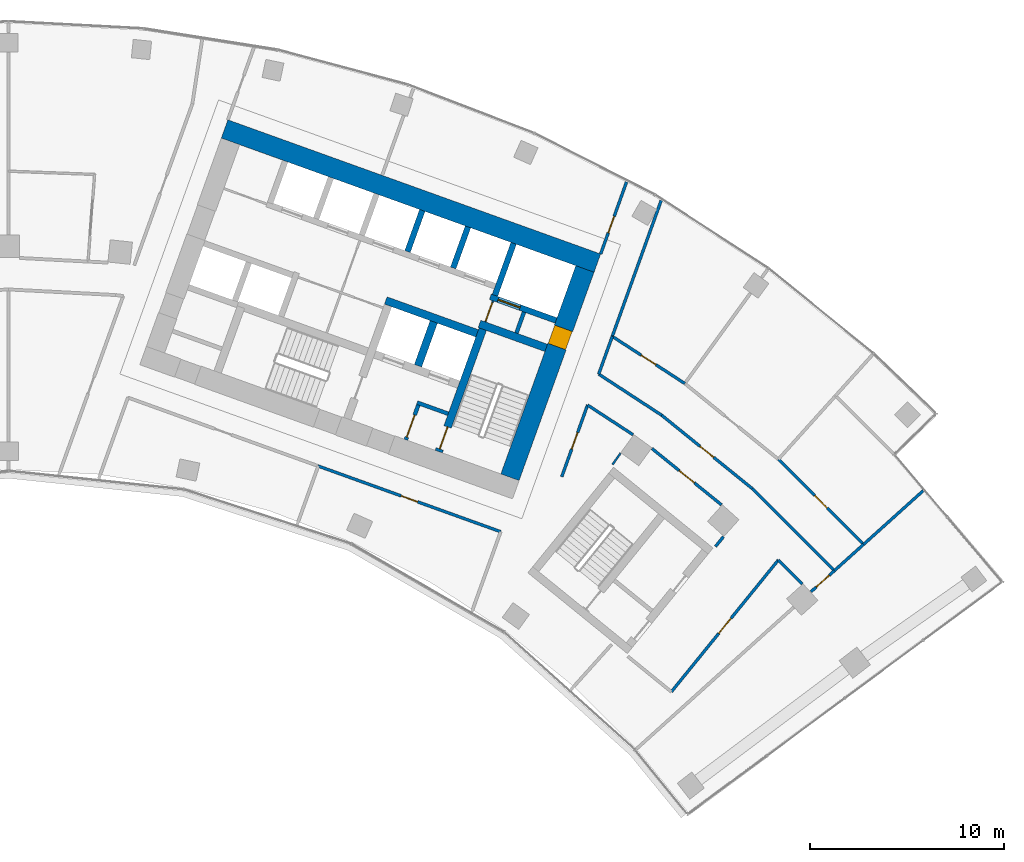
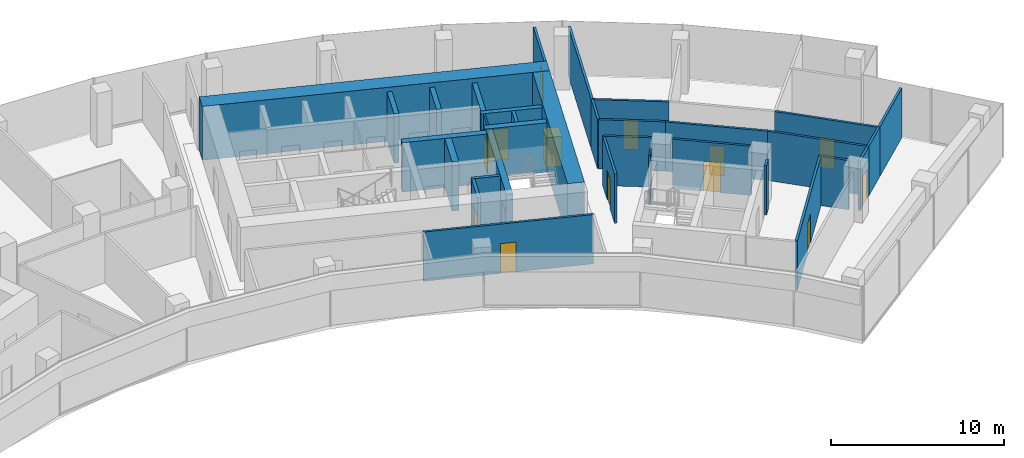
# One storey, part 16 of 20: 33 walls, 14 doors, 14 openings.
"""IFC4 building model written with IfcOpenShell, lengths in metres."""

from ifc_helpers import new_model, si_unit, direction, frame, frame_2d, origin, place, context, subcontext, project, spatial, rectangle, extrude, material, layer, layer_set, type_object, element, fill, save


model = new_model("IFC4")

# Units and contexts
model_context = context("Model", 3, precision=1e-05, world=origin(), true_north=direction((0.0, 1.0)))
body_context = subcontext(model_context, "Body", "Model", "MODEL_VIEW")
ifc_project = project(units=[si_unit("LENGTHUNIT", "METRE"), si_unit("AREAUNIT", "SQUARE_METRE"), si_unit("VOLUMEUNIT", "CUBIC_METRE"), si_unit("PLANEANGLEUNIT", "RADIAN"), si_unit("MASSUNIT", "GRAM", prefix="KILO")], contexts=[model_context])

# Site, building, storey
site_placement = place(None, origin())
site = spatial("IfcSite", under=ifc_project, at=site_placement, CompositionType="ELEMENT")
building_placement = place(site_placement, origin())
building = spatial("IfcBuilding", under=site, at=building_placement, Name="Stone Belt Terrace Tower", CompositionType="ELEMENT")
storey_placement = place(building_placement, frame((0.0, 0.0, 216.199951171875)))
storey = spatial("IfcBuildingStorey", under=building, at=storey_placement, Name="L52", CompositionType="ELEMENT", Elevation=216.199951171875)

# Wall, opening, door
ifc_material_1 = material(Name="Plasterboard partition")
ifc_layer_1 = layer(ifc_material_1, 0.10009765625)
ifc_layer_set_1 = layer_set([ifc_layer_1], Name="Core partition 100")
wall_type_1 = type_object("IfcWallType", Name="Core partition 100", PredefinedType="PARTITIONING", material=ifc_layer_set_1)
wall_1_placement = place(storey_placement, frame((24.555908203125, 51.10400390625, 0.0), z_axis=(0.0, 0.0, 1.0), x_axis=(0.338621735342, 0.94092258999, 0.0)))
wall_1 = element("IfcWall", 1, at=wall_1_placement, inside=storey, type_object=wall_type_1, Name="Core B wall", PredefinedType="PARTITIONING", context=body_context, shape_type="SweptSolid", body=[
    extrude(rectangle(XDim=1.14990234375, YDim=0.10009765625, at=frame_2d((0.574951171875, 0.0))), origin(), (0.0, 0.0, 1.0), 3.47998046875),
])
opening_1_placement = place(wall_1_placement, frame((0.050048828125, 0.0, 0.0)))
opening_1 = element("IfcOpeningElement", 2, at=opening_1_placement, cuts=wall_1, Name="Opening L52-C19", PredefinedType="OPENING", context=body_context, shape_type="SweptSolid", body=[
    extrude(rectangle(XDim=1.0, YDim=2.10009765625, at=frame_2d((0.5, 1.050048828125))), frame((0.0, 0.06005859375, 0.0), z_axis=(0.0, -1.0, 0.0), x_axis=(1.0, 0.0, 0.0)), (0.0, 0.0, 1.0), 0.1201171875),
])
ifc_material_2 = material(Name="Timber door leaf", Category="wood")
door_type_1 = type_object("IfcDoorType", Name="Core room door 1000", OperationType="SINGLE_SWING_LEFT", PredefinedType="DOOR", material=ifc_material_2)
door_1_placement = place(opening_1_placement, origin())
door_1 = element("IfcDoor", 3, at=door_1_placement, inside=storey, type_object=door_type_1, Name="Service lift lobby door core B", OperationType="SINGLE_SWING_LEFT", OverallHeight=2.10009765625, OverallWidth=1.0, PredefinedType="DOOR", context=body_context, shape_type="SweptSolid", body=[
    extrude(rectangle(XDim=1.0, YDim=2.10009765625, at=frame_2d((0.5, 1.050048828125))), frame((0.0, 0.02490234375, 0.0), z_axis=(0.0, -1.0, 0.0), x_axis=(1.0, 0.0, 0.0)), (0.0, 0.0, 1.0), 0.050048828125),
])
fill(opening_1, door_1)

# Wall
ifc_material_3 = material(Name="Concrete B60", Category="concrete")
ifc_layer_2 = layer(ifc_material_3, 1.0)
ifc_layer_set_2 = layer_set([ifc_layer_2], Name="Core wall 1000 B60")
wall_type_2 = type_object("IfcWallType", Name="Core wall 1000 B60", PredefinedType="SHEAR", material=ifc_layer_set_2)
wall_2_placement = place(storey_placement, frame((11.12646484375, 61.038330078125, 0.0), z_axis=(0.0, 0.0, 1.0), x_axis=(0.940921428504, -0.338624962727, 0.0)))
element("IfcWall", 4, at=wall_2_placement, inside=storey, type_object=wall_type_2, Name="Core B wall convex L52", PredefinedType="SHEAR", context=body_context, shape_type="SweptSolid", body=[
    extrude(rectangle(XDim=20.400146484375, YDim=1.0, at=frame_2d((10.2001953125, 0.0))), origin(), (0.0, 0.0, 1.0), 3.800048828125),
])

# Wall, opening, door
wall_3_placement = place(storey_placement, frame((25.821044921875, 43.102783203125, 0.0), z_axis=(0.0, 0.0, 1.0), x_axis=(0.338625431531, 0.940921259788, 0.0)))
wall_3 = element("IfcWall", 5, at=wall_3_placement, inside=storey, type_object=wall_type_2, Name="Core B wall end_b L52", PredefinedType="SHEAR", context=body_context, shape_type="SweptSolid", body=[
    extrude(rectangle(XDim=11.400146484375, YDim=1.0, at=frame_2d((5.7001953125, 0.0))), origin(), (0.0, 0.0, 1.0), 3.800048828125),
])
opening_2_placement = place(wall_3_placement, frame((7.14990234375, 0.0, 0.0)))
opening_2 = element("IfcOpeningElement", 6, at=opening_2_placement, cuts=wall_3, Name="Opening L52-C18", PredefinedType="OPENING", context=body_context, shape_type="SweptSolid", body=[
    extrude(rectangle(XDim=1.0, YDim=2.10009765625, at=frame_2d((0.5, 1.050048828125))), frame((0.0, 0.510009765625, 0.0), z_axis=(0.0, -1.0, 0.0), x_axis=(1.0, 0.0, 0.0)), (0.0, 0.0, 1.0), 1.02001953125),
])
door_2_placement = place(opening_2_placement, origin())
door_2 = element("IfcDoor", 7, at=door_2_placement, inside=storey, type_object=door_type_1, Name="Door to Telecommunications riser room core B", OperationType="SINGLE_SWING_RIGHT", OverallHeight=2.10009765625, OverallWidth=1.0, PredefinedType="DOOR", context=body_context, shape_type="SweptSolid", body=[
    extrude(rectangle(XDim=1.0, YDim=2.10009765625, at=frame_2d((0.5, 1.050048828125))), frame((0.0, 0.47998046875, 0.0), z_axis=(0.0, -1.0, 0.0), x_axis=(1.0, 0.0, 0.0)), (0.0, 0.0, 1.0), 0.949951171875),
])
fill(opening_2, door_2)

# Walls
ifc_material_4 = material(Name="Concrete B80", Category="concrete")
ifc_layer_3 = layer(ifc_material_4, 0.39990234375)
ifc_layer_set_3 = layer_set([ifc_layer_3], Name="Fire-fighting lift shaft wall 400")
wall_type_3 = type_object("IfcWallType", Name="Fire-fighting lift shaft wall 400", PredefinedType="SHEAR", material=ifc_layer_set_3)
wall_4_placement = place(storey_placement, frame((24.130615234375, 50.512939453125, 0.0), z_axis=(0.0, 0.0, 1.0), x_axis=(-0.94091168377, 0.338652038744, 0.0)))
element("IfcWall", 8, at=wall_4_placement, inside=storey, type_object=wall_type_3, Name="Core B wall", PredefinedType="SHEAR", context=body_context, shape_type="SweptSolid", body=[
    extrude(rectangle(XDim=5.000244140625, YDim=0.39990234375, at=frame_2d((2.5, 0.0))), origin(), (0.0, 0.0, 1.0), 3.47998046875),
])
wall_5_placement = place(storey_placement, frame((21.0859375, 48.845458984375, 0.0), z_axis=(0.0, 0.0, 1.0), x_axis=(0.338629416206, 0.940919825745, 0.0)))
element("IfcWall", 9, at=wall_5_placement, inside=storey, type_object=wall_type_3, Name="Core B wall", PredefinedType="SHEAR", context=body_context, shape_type="SweptSolid", body=[
    extrude(rectangle(XDim=2.400146484375, YDim=0.39990234375, at=frame_2d((1.2001953125, 0.0))), origin(), (0.0, 0.0, 1.0), 3.47998046875),
])

# Wall, opening, door
ifc_layer_4 = layer(ifc_material_4, 0.300048828125)
ifc_layer_set_4 = layer_set([ifc_layer_4], Name="Lift shaft wall 300")
wall_type_4 = type_object("IfcWallType", Name="Lift shaft wall 300", PredefinedType="SHEAR", material=ifc_layer_set_4)
wall_6_placement = place(storey_placement, frame((28.195068359375, 51.17578125, 0.0), z_axis=(0.0, 0.0, 1.0), x_axis=(-0.940901243567, 0.338681044427, 0.0)))
wall_6 = element("IfcWall", 10, at=wall_6_placement, inside=storey, type_object=wall_type_4, Name="Core B wall", PredefinedType="SHEAR", context=body_context, shape_type="SweptSolid", body=[
    extrude(rectangle(XDim=3.599853515625, YDim=0.300048828125, at=frame_2d((1.7998046875, 0.0))), origin(), (0.0, 0.0, 1.0), 3.47998046875),
])
opening_3_placement = place(wall_6_placement, frame((1.969970703125, 0.0, 0.0)))
opening_3 = element("IfcOpeningElement", 11, at=opening_3_placement, cuts=wall_6, Name="Opening L52-LD16", PredefinedType="OPENING", context=body_context, shape_type="SweptSolid", body=[
    extrude(rectangle(XDim=1.199951171875, YDim=2.199951171875, at=frame_2d((0.60009765625, 1.10009765625))), frame((0.0, 0.159912109375, 0.0), z_axis=(0.0, -1.0, 0.0), x_axis=(1.0, 0.0, 0.0)), (0.0, 0.0, 1.0), 0.320068359375),
])
ifc_material_5 = material(Name="Stainless steel door leaf", Category="steel")
door_type_2 = type_object("IfcDoorType", Name="Landing door 1200", OperationType="SLIDING_TO_LEFT", PredefinedType="DOOR", material=ifc_material_5)
door_3_placement = place(opening_3_placement, origin())
door_3 = element("IfcDoor", 12, at=door_3_placement, inside=storey, type_object=door_type_2, Name="Landing door SV1 core B", OperationType="SLIDING_TO_LEFT", OverallHeight=2.199951171875, OverallWidth=1.199951171875, PredefinedType="DOOR", context=body_context, shape_type="SweptSolid", body=[
    extrude(rectangle(XDim=1.199951171875, YDim=2.199951171875, at=frame_2d((0.60009765625, 1.10009765625))), frame((0.0, 0.02490234375, 0.0), z_axis=(0.0, -1.0, 0.0), x_axis=(1.0, 0.0, 0.0)), (0.0, 0.0, 1.0), 0.050048828125),
])
fill(opening_3, door_3)

# Walls
wall_7_placement = place(storey_placement, frame((25.046875, 52.46826171875, 0.0), z_axis=(0.0, 0.0, 1.0), x_axis=(0.338549588058, 0.940948551423, 0.0)))
element("IfcWall", 13, at=wall_7_placement, inside=storey, type_object=wall_type_4, Name="Core B wall", PredefinedType="SHEAR", context=body_context, shape_type="SweptSolid", body=[
    extrude(rectangle(XDim=2.849853515625, YDim=0.300048828125, at=frame_2d((1.4248046875, 0.0))), origin(), (0.0, 0.0, 1.0), 3.47998046875),
])
wall_8_placement = place(storey_placement, frame((22.897705078125, 53.87939453125, 0.0), z_axis=(0.0, 0.0, 1.0), x_axis=(0.338535034312, 0.940953787677, 0.0)))
element("IfcWall", 14, at=wall_8_placement, inside=storey, type_object=wall_type_4, Name="Core B wall", PredefinedType="SHEAR", context=body_context, shape_type="SweptSolid", body=[
    extrude(rectangle(XDim=2.25, YDim=0.300048828125, at=frame_2d((1.125, 0.0))), origin(), (0.0, 0.0, 1.0), 3.47998046875),
])
wall_9_placement = place(storey_placement, frame((20.54541015625, 54.72607421875, 0.0), z_axis=(0.0, 0.0, 1.0), x_axis=(0.338569601369, 0.940941350472, 0.0)))
element("IfcWall", 15, at=wall_9_placement, inside=storey, type_object=wall_type_4, Name="Core B wall", PredefinedType="SHEAR", context=body_context, shape_type="SweptSolid", body=[
    extrude(rectangle(XDim=2.249755859375, YDim=0.300048828125, at=frame_2d((1.125, 0.0))), origin(), (0.0, 0.0, 1.0), 3.47998046875),
])
ifc_material_6 = material(Name="Gypsum board partition")
ifc_layer_5 = layer(ifc_material_6, 0.10009765625)
ifc_layer_set_5 = layer_set([ifc_layer_5], Name="PARTITION 100")
wall_type_5 = type_object("IfcWallType", Name="PARTITION 100", PredefinedType="PARTITIONING", material=ifc_layer_set_5)
wall_10_placement = place(storey_placement, frame((31.10302734375, 43.760009765625, 0.0), z_axis=(0.0, 0.0, 1.0), x_axis=(0.578960753256, 0.815355410965, 0.0)))
element("IfcWall", 16, at=wall_10_placement, inside=storey, type_object=wall_type_5, Name="L52/wall/i060", PredefinedType="PARTITIONING", context=body_context, shape_type="SweptSolid", body=[
    extrude(rectangle(XDim=0.71044921875, YDim=0.10009765625, at=frame_2d((0.355224609375, 0.0))), origin(), (0.0, 0.0, 1.0), 3.47998046875),
])

# Wall, opening, door
ifc_layer_6 = layer(ifc_material_6, 0.14990234375)
ifc_layer_set_6 = layer_set([ifc_layer_6], Name="PARTITION 150 EI 60")
wall_type_6 = type_object("IfcWallType", Name="PARTITION 150 EI 60", PredefinedType="PARTITIONING", material=ifc_layer_set_6)
wall_11_placement = place(storey_placement, frame((30.490966796875, 54.60107421875, 0.0), z_axis=(0.0, 0.0, 1.0), x_axis=(0.338542007836, 0.940951278723, 0.0)))
wall_11 = element("IfcWall", 17, at=wall_11_placement, inside=storey, type_object=wall_type_6, Name="L52/wall/i022", PredefinedType="PARTITIONING", context=body_context, shape_type="SweptSolid", body=[
    extrude(rectangle(XDim=3.946044921875, YDim=0.14990234375, at=frame_2d((1.97314453125, 0.0))), origin(), (0.0, 0.0, 1.0), 3.47998046875),
])
opening_4_placement = place(wall_11_placement, frame((1.15625, 0.0, 0.0)))
opening_4 = element("IfcOpeningElement", 18, at=opening_4_placement, cuts=wall_11, Name="Opening D-D3-08", PredefinedType="OPENING", context=body_context, shape_type="SweptSolid", body=[
    extrude(rectangle(XDim=0.89990234375, YDim=2.10009765625, at=frame_2d((0.449951171875, 1.050048828125))), frame((0.0, 0.0849609375, 0.0), z_axis=(0.0, -1.0, 0.0), x_axis=(1.0, 0.0, 0.0)), (0.0, 0.0, 1.0), 0.169921875),
])
door_type_3 = type_object("IfcDoorType", Name="OFFICE DOOR 900 X 2100", OperationType="NOTDEFINED", PredefinedType="DOOR", material=ifc_material_2)
door_4_placement = place(opening_4_placement, origin())
door_4 = element("IfcDoor", 19, at=door_4_placement, inside=storey, type_object=door_type_3, Name="L52/door/i08", OperationType="SINGLE_SWING_LEFT", OverallHeight=2.10009765625, OverallWidth=0.89990234375, PredefinedType="DOOR", context=body_context, shape_type="SweptSolid", body=[
    extrude(rectangle(XDim=0.89990234375, YDim=2.10009765625, at=frame_2d((0.449951171875, 1.050048828125))), frame((0.0, 0.02490234375, 0.0), z_axis=(0.0, -1.0, 0.0), x_axis=(1.0, 0.0, 0.0)), (0.0, 0.0, 1.0), 0.050048828125),
])
fill(opening_4, door_4)

wall_12_placement = place(storey_placement, frame((29.819091796875, 46.826904296875, 0.0), z_axis=(0.0, 0.0, 1.0), x_axis=(-0.338668875698, -0.940905623659, 0.0)))
wall_12 = element("IfcWall", 20, at=wall_12_placement, inside=storey, type_object=wall_type_6, Name="L52/wall/i023", PredefinedType="PARTITIONING", context=body_context, shape_type="SweptSolid", body=[
    extrude(rectangle(XDim=3.93017578125, YDim=0.14990234375, at=frame_2d((1.965087890625, 0.0))), origin(), (0.0, 0.0, 1.0), 3.47998046875),
])
opening_5_placement = place(wall_12_placement, frame((1.51513671875, 0.0, 0.0)))
opening_5 = element("IfcOpeningElement", 21, at=opening_5_placement, cuts=wall_12, Name="Opening D-D3-17", PredefinedType="OPENING", context=body_context, shape_type="SweptSolid", body=[
    extrude(rectangle(XDim=0.89990234375, YDim=2.10009765625, at=frame_2d((0.449951171875, 1.050048828125))), frame((0.0, 0.0849609375, 0.0), z_axis=(0.0, -1.0, 0.0), x_axis=(1.0, 0.0, 0.0)), (0.0, 0.0, 1.0), 0.169921875),
])
door_5_placement = place(opening_5_placement, origin())
door_5 = element("IfcDoor", 22, at=door_5_placement, inside=storey, type_object=door_type_3, Name="L52/door/i17", OperationType="SINGLE_SWING_RIGHT", OverallHeight=2.10009765625, OverallWidth=0.89990234375, PredefinedType="DOOR", context=body_context, shape_type="SweptSolid", body=[
    extrude(rectangle(XDim=0.89990234375, YDim=2.10009765625, at=frame_2d((0.449951171875, 1.050048828125))), frame((0.0, 0.02490234375, 0.0), z_axis=(0.0, -1.0, 0.0), x_axis=(1.0, 0.0, 0.0)), (0.0, 0.0, 1.0), 0.050048828125),
])
fill(opening_5, door_5)

# Walls
wall_13_placement = place(storey_placement, frame((31.092041015625, 50.363037109375, 0.0), z_axis=(0.0, 0.0, 1.0), x_axis=(-0.338719468273, -0.940887411869, 0.0)))
element("IfcWall", 23, at=wall_13_placement, inside=storey, type_object=wall_type_6, Name="L52/wall/i025", PredefinedType="PARTITIONING", context=body_context, shape_type="SweptSolid", body=[
    extrude(rectangle(XDim=2.075927734375, YDim=0.14990234375, at=frame_2d((1.0380859375, 0.0))), origin(), (0.0, 0.0, 1.0), 3.47998046875),
])
wall_14_placement = place(storey_placement, frame((33.60791015625, 57.35400390625, 0.0), z_axis=(0.0, 0.0, 1.0), x_axis=(-0.33863814551, -0.940916684094, 0.0)))
element("IfcWall", 24, at=wall_14_placement, inside=storey, type_object=wall_type_6, Name="L52/wall/i026", PredefinedType="PARTITIONING", context=body_context, shape_type="SweptSolid", body=[
    extrude(rectangle(XDim=7.441650390625, YDim=0.14990234375, at=frame_2d((3.720703125, 0.0))), origin(), (0.0, 0.0, 1.0), 3.47998046875),
])

# Wall, opening, door
wall_15_placement = place(storey_placement, frame((25.343017578125, 40.299072265625, 0.0), z_axis=(0.0, 0.0, 1.0), x_axis=(-0.940924167652, 0.338617351488, 0.0)))
wall_15 = element("IfcWall", 25, at=wall_15_placement, inside=storey, type_object=wall_type_6, Name="L52/wall/i028", PredefinedType="PARTITIONING", context=body_context, shape_type="SweptSolid", body=[
    extrude(rectangle(XDim=9.989990234375, YDim=0.14990234375, at=frame_2d((4.9951171875, 0.0))), origin(), (0.0, 0.0, 1.0), 3.47998046875),
])
opening_6_placement = place(wall_15_placement, frame((4.545166015625, 0.0, 0.0)))
opening_6 = element("IfcOpeningElement", 26, at=opening_6_placement, cuts=wall_15, Name="Opening D-D3-06", PredefinedType="OPENING", context=body_context, shape_type="SweptSolid", body=[
    extrude(rectangle(XDim=0.89990234375, YDim=2.10009765625, at=frame_2d((0.449951171875, 1.050048828125))), frame((0.0, 0.0849609375, 0.0), z_axis=(0.0, -1.0, 0.0), x_axis=(1.0, 0.0, 0.0)), (0.0, 0.0, 1.0), 0.169921875),
])
door_6_placement = place(opening_6_placement, origin())
door_6 = element("IfcDoor", 27, at=door_6_placement, inside=storey, type_object=door_type_3, Name="L52/door/i06", OperationType="SINGLE_SWING_RIGHT", OverallHeight=2.10009765625, OverallWidth=0.89990234375, PredefinedType="DOOR", context=body_context, shape_type="SweptSolid", body=[
    extrude(rectangle(XDim=0.89990234375, YDim=2.10009765625, at=frame_2d((0.449951171875, 1.050048828125))), frame((0.0, 0.02490234375, 0.0), z_axis=(0.0, -1.0, 0.0), x_axis=(1.0, 0.0, 0.0)), (0.0, 0.0, 1.0), 0.050048828125),
])
fill(opening_6, door_6)

wall_16_placement = place(storey_placement, frame((42.531005859375, 38.2939453125, 0.0), z_axis=(0.0, 0.0, 1.0), x_axis=(-0.743450987947, -0.668790421972, 0.0)))
wall_16 = element("IfcWall", 28, at=wall_16_placement, inside=storey, type_object=wall_type_6, Name="L52/wall/i047", PredefinedType="PARTITIONING", context=body_context, shape_type="SweptSolid", body=[
    extrude(rectangle(XDim=1.625244140625, YDim=0.14990234375, at=frame_2d((0.8125, 0.0))), origin(), (0.0, 0.0, 1.0), 3.47998046875),
])
opening_7_placement = place(wall_16_placement, frame((0.36279296875, 0.0, 0.0)))
opening_7 = element("IfcOpeningElement", 29, at=opening_7_placement, cuts=wall_16, Name="Opening D-D3-15", PredefinedType="OPENING", context=body_context, shape_type="SweptSolid", body=[
    extrude(rectangle(XDim=0.89990234375, YDim=2.10009765625, at=frame_2d((0.449951171875, 1.050048828125))), frame((0.0, 0.0849609375, 0.0), z_axis=(0.0, -1.0, 0.0), x_axis=(1.0, 0.0, 0.0)), (0.0, 0.0, 1.0), 0.169921875),
])
door_7_placement = place(opening_7_placement, origin())
door_7 = element("IfcDoor", 30, at=door_7_placement, inside=storey, type_object=door_type_3, Name="L52/door/i15", OperationType="SINGLE_SWING_RIGHT", OverallHeight=2.10009765625, OverallWidth=0.89990234375, PredefinedType="DOOR", context=body_context, shape_type="SweptSolid", body=[
    extrude(rectangle(XDim=0.89990234375, YDim=2.10009765625, at=frame_2d((0.449951171875, 1.050048828125))), frame((0.0, 0.02490234375, 0.0), z_axis=(0.0, -1.0, 0.0), x_axis=(1.0, 0.0, 0.0)), (0.0, 0.0, 1.0), 0.050048828125),
])
fill(opening_7, door_7)

# Walls
wall_17_placement = place(storey_placement, frame((42.52197265625, 38.287109375, 0.0), z_axis=(0.0, 0.0, 1.0), x_axis=(0.74306127458, 0.669223387382, 0.0)))
element("IfcWall", 31, at=wall_17_placement, inside=storey, type_object=wall_type_6, Name="L52/wall/i049", PredefinedType="PARTITIONING", context=body_context, shape_type="SweptSolid", body=[
    extrude(rectangle(XDim=2.033447265625, YDim=0.14990234375, at=frame_2d((1.0166015625, 0.0))), origin(), (0.0, 0.0, 1.0), 3.47998046875),
])
wall_18_placement = place(storey_placement, frame((44.02490234375, 39.639892578125, 0.0), z_axis=(0.0, 0.0, 1.0), x_axis=(0.743144572165, 0.66913088769, 0.0)))
element("IfcWall", 32, at=wall_18_placement, inside=storey, type_object=wall_type_6, Name="L52/wall/i050", PredefinedType="PARTITIONING", context=body_context, shape_type="SweptSolid", body=[
    extrude(rectangle(XDim=4.1396484375, YDim=0.14990234375, at=frame_2d((2.06982421875, 0.0))), origin(), (0.0, 0.0, 1.0), 3.47998046875),
])

# Wall, opening, door
wall_19_placement = place(storey_placement, frame((36.716064453125, 41.681396484375, 0.0), z_axis=(0.0, 0.0, 1.0), x_axis=(-0.777157211672, 0.629306497937, 0.0)))
wall_19 = element("IfcWall", 33, at=wall_19_placement, inside=storey, type_object=wall_type_6, Name="L52/wall/i051", PredefinedType="PARTITIONING", context=body_context, shape_type="SweptSolid", body=[
    extrude(rectangle(XDim=4.60546875, YDim=0.14990234375, at=frame_2d((2.302734375, 0.0))), origin(), (0.0, 0.0, 1.0), 3.47998046875),
])
opening_8_placement = place(wall_19_placement, frame((1.802734375, 0.0, 0.0)))
opening_8 = element("IfcOpeningElement", 34, at=opening_8_placement, cuts=wall_19, Name="Opening D-D3-16", PredefinedType="OPENING", context=body_context, shape_type="SweptSolid", body=[
    extrude(rectangle(XDim=1.0, YDim=2.10009765625, at=frame_2d((0.5, 1.050048828125))), frame((0.0, 0.0849609375, 0.0), z_axis=(0.0, -1.0, 0.0), x_axis=(1.0, 0.0, 0.0)), (0.0, 0.0, 1.0), 0.169921875),
])
ifc_material_7 = material(Name="Timber fire door leaf", Category="wood")
door_type_4 = type_object("IfcDoorType", Name="TENANCY ENTRANCE DOOR 1000 X 2100", OperationType="NOTDEFINED", PredefinedType="DOOR", material=ifc_material_7)
door_8_placement = place(opening_8_placement, origin())
door_8 = element("IfcDoor", 35, at=door_8_placement, inside=storey, type_object=door_type_4, Name="L52/door/i16", OperationType="SINGLE_SWING_RIGHT", OverallHeight=2.10009765625, OverallWidth=1.0, PredefinedType="DOOR", context=body_context, shape_type="SweptSolid", body=[
    extrude(rectangle(XDim=1.0, YDim=2.10009765625, at=frame_2d((0.5, 1.050048828125))), frame((0.0, 0.02490234375, 0.0), z_axis=(0.0, -1.0, 0.0), x_axis=(1.0, 0.0, 0.0)), (0.0, 0.0, 1.0), 0.050048828125),
])
fill(opening_8, door_8)

# Walls
wall_20_placement = place(storey_placement, frame((32.1591796875, 45.29248046875, 0.0), z_axis=(0.0, 0.0, 1.0), x_axis=(-0.837449064317, 0.546515383749, 0.0)))
element("IfcWall", 36, at=wall_20_placement, inside=storey, type_object=wall_type_6, Name="L52/wall/i052", PredefinedType="PARTITIONING", context=body_context, shape_type="SweptSolid", body=[
    extrude(rectangle(XDim=2.796875, YDim=0.14990234375, at=frame_2d((1.3984375, 0.0))), origin(), (0.0, 0.0, 1.0), 3.47998046875),
])
wall_21_placement = place(storey_placement, frame((40.871826171875, 37.615234375, 0.0), z_axis=(0.0, 0.0, 1.0), x_axis=(-0.707176795224, 0.707036760216, 0.0)))
element("IfcWall", 37, at=wall_21_placement, inside=storey, type_object=wall_type_6, Name="L52/wall/i053", PredefinedType="PARTITIONING", context=body_context, shape_type="SweptSolid", body=[
    extrude(rectangle(XDim=1.743408203125, YDim=0.14990234375, at=frame_2d((0.87158203125, 0.0))), origin(), (0.0, 0.0, 1.0), 3.47998046875),
])
wall_22_placement = place(storey_placement, frame((30.39111328125, 48.4150390625, 0.0), z_axis=(0.0, 0.0, 1.0), x_axis=(0.837265796004, -0.546796110851, 0.0)))
element("IfcWall", 38, at=wall_22_placement, inside=storey, type_object=wall_type_6, Name="L52/wall/i054", PredefinedType="PARTITIONING", context=body_context, shape_type="SweptSolid", body=[
    extrude(rectangle(XDim=3.87548828125, YDim=0.14990234375, at=frame_2d((1.937744140625, 0.0))), origin(), (0.0, 0.0, 1.0), 3.47998046875),
])

# Wall, opening, door
wall_23_placement = place(storey_placement, frame((33.635986328125, 46.2958984375, 0.0), z_axis=(0.0, 0.0, 1.0), x_axis=(0.777109127033, -0.629365875054, 0.0)))
wall_23 = element("IfcWall", 39, at=wall_23_placement, inside=storey, type_object=wall_type_6, Name="L52/wall/i055", PredefinedType="PARTITIONING", context=body_context, shape_type="SweptSolid", body=[
    extrude(rectangle(XDim=5.990234375, YDim=0.14990234375, at=frame_2d((2.9951171875, 0.0))), origin(), (0.0, 0.0, 1.0), 3.47998046875),
])
opening_9_placement = place(wall_23_placement, frame((2.545166015625, 0.0, 0.0)))
opening_9 = element("IfcOpeningElement", 40, at=opening_9_placement, cuts=wall_23, Name="Opening D-D3-19", PredefinedType="OPENING", context=body_context, shape_type="SweptSolid", body=[
    extrude(rectangle(XDim=0.89990234375, YDim=2.10009765625, at=frame_2d((0.449951171875, 1.050048828125))), frame((0.0, 0.0849609375, 0.0), z_axis=(0.0, -1.0, 0.0), x_axis=(1.0, 0.0, 0.0)), (0.0, 0.0, 1.0), 0.169921875),
])
door_9_placement = place(opening_9_placement, origin())
door_9 = element("IfcDoor", 41, at=door_9_placement, inside=storey, type_object=door_type_3, Name="L52/door/i19", OperationType="SINGLE_SWING_RIGHT", OverallHeight=2.10009765625, OverallWidth=0.89990234375, PredefinedType="DOOR", context=body_context, shape_type="SweptSolid", body=[
    extrude(rectangle(XDim=0.89990234375, YDim=2.10009765625, at=frame_2d((0.449951171875, 1.050048828125))), frame((0.0, 0.02490234375, 0.0), z_axis=(0.0, -1.0, 0.0), x_axis=(1.0, 0.0, 0.0)), (0.0, 0.0, 1.0), 0.050048828125),
])
fill(opening_9, door_9)

# Walls
wall_24_placement = place(storey_placement, frame((38.291015625, 42.52587890625, 0.0), z_axis=(0.0, 0.0, 1.0), x_axis=(0.707106781187, -0.707106781187, 0.0)))
element("IfcWall", 42, at=wall_24_placement, inside=storey, type_object=wall_type_6, Name="L52/wall/i056", PredefinedType="PARTITIONING", context=body_context, shape_type="SweptSolid", body=[
    extrude(rectangle(XDim=5.989013671875, YDim=0.14990234375, at=frame_2d((2.99462890625, 0.0))), origin(), (0.0, 0.0, 1.0), 3.47998046875),
])
wall_25_placement = place(storey_placement, frame((36.406005859375, 39.537109375, 0.0), z_axis=(0.0, 0.0, 1.0), x_axis=(0.630325485788, 0.776330974499, 0.0)))
element("IfcWall", 43, at=wall_25_placement, inside=storey, type_object=wall_type_6, Name="L52/wall/i057", PredefinedType="PARTITIONING", context=body_context, shape_type="SweptSolid", body=[
    extrude(rectangle(XDim=0.65380859375, YDim=0.14990234375, at=frame_2d((0.326904296875, 0.0))), origin(), (0.0, 0.0, 1.0), 3.47998046875),
])

# Wall, opening, door
wall_26_placement = place(storey_placement, frame((39.64306640625, 38.843994140625, 0.0), z_axis=(0.0, 0.0, 1.0), x_axis=(-0.630226712005, -0.776411161354, 0.0)))
wall_26 = element("IfcWall", 44, at=wall_26_placement, inside=storey, type_object=wall_type_6, Name="L52/wall/i058", PredefinedType="PARTITIONING", context=body_context, shape_type="SweptSolid", body=[
    extrude(rectangle(XDim=8.742919921875, YDim=0.14990234375, at=frame_2d((4.37158203125, 0.0))), origin(), (0.0, 0.0, 1.0), 3.47998046875),
])
opening_10_placement = place(wall_26_placement, frame((3.871337890625, 0.0, 0.0)))
opening_10 = element("IfcOpeningElement", 45, at=opening_10_placement, cuts=wall_26, Name="Opening D-D3-18", PredefinedType="OPENING", context=body_context, shape_type="SweptSolid", body=[
    extrude(rectangle(XDim=1.0, YDim=2.10009765625, at=frame_2d((0.5, 1.050048828125))), frame((0.0, 0.0849609375, 0.0), z_axis=(0.0, -1.0, 0.0), x_axis=(1.0, 0.0, 0.0)), (0.0, 0.0, 1.0), 0.169921875),
])
door_10_placement = place(opening_10_placement, origin())
door_10 = element("IfcDoor", 46, at=door_10_placement, inside=storey, type_object=door_type_4, Name="L52/door/i18", OperationType="SINGLE_SWING_RIGHT", OverallHeight=2.10009765625, OverallWidth=1.0, PredefinedType="DOOR", context=body_context, shape_type="SweptSolid", body=[
    extrude(rectangle(XDim=1.0, YDim=2.10009765625, at=frame_2d((0.5, 1.050048828125))), frame((0.0, 0.02490234375, 0.0), z_axis=(0.0, -1.0, 0.0), x_axis=(1.0, 0.0, 0.0)), (0.0, 0.0, 1.0), 0.050048828125),
])
fill(opening_10, door_10)

wall_27_placement = place(storey_placement, frame((31.090087890625, 50.35693359375, 0.0), z_axis=(0.0, 0.0, 1.0), x_axis=(0.838646515126, -0.544676071319, 0.0)))
wall_27 = element("IfcWall", 47, at=wall_27_placement, inside=storey, type_object=wall_type_6, Name="L52/wall/i061", PredefinedType="PARTITIONING", context=body_context, shape_type="SweptSolid", body=[
    extrude(rectangle(XDim=4.452392578125, YDim=0.14990234375, at=frame_2d((2.22607421875, 0.0))), origin(), (0.0, 0.0, 1.0), 3.47998046875),
])
opening_11_placement = place(wall_27_placement, frame((1.776123046875, 0.0, 0.0)))
opening_11 = element("IfcOpeningElement", 48, at=opening_11_placement, cuts=wall_27, Name="Opening D-D3-20", PredefinedType="OPENING", context=body_context, shape_type="SweptSolid", body=[
    extrude(rectangle(XDim=0.89990234375, YDim=2.10009765625, at=frame_2d((0.449951171875, 1.050048828125))), frame((0.0, 0.0849609375, 0.0), z_axis=(0.0, -1.0, 0.0), x_axis=(1.0, 0.0, 0.0)), (0.0, 0.0, 1.0), 0.169921875),
])
door_11_placement = place(opening_11_placement, origin())
door_11 = element("IfcDoor", 49, at=door_11_placement, inside=storey, type_object=door_type_3, Name="L52/door/i20", OperationType="SINGLE_SWING_RIGHT", OverallHeight=2.10009765625, OverallWidth=0.89990234375, PredefinedType="DOOR", context=body_context, shape_type="SweptSolid", body=[
    extrude(rectangle(XDim=0.89990234375, YDim=2.10009765625, at=frame_2d((0.449951171875, 1.050048828125))), frame((0.0, 0.02490234375, 0.0), z_axis=(0.0, -1.0, 0.0), x_axis=(1.0, 0.0, 0.0)), (0.0, 0.0, 1.0), 0.050048828125),
])
fill(opening_11, door_11)

wall_28_placement = place(storey_placement, frame((39.639892578125, 44.032958984375, 0.0), z_axis=(0.0, 0.0, 1.0), x_axis=(0.707126447351, -0.707087114475, 0.0)))
wall_28 = element("IfcWall", 50, at=wall_28_placement, inside=storey, type_object=wall_type_6, Name="L52/wall/i063", PredefinedType="PARTITIONING", context=body_context, shape_type="SweptSolid", body=[
    extrude(rectangle(XDim=6.20703125, YDim=0.14990234375, at=frame_2d((3.103515625, 0.0))), origin(), (0.0, 0.0, 1.0), 3.47998046875),
])
opening_12_placement = place(wall_28_placement, frame((2.653564453125, 0.0, 0.0)))
opening_12 = element("IfcOpeningElement", 51, at=opening_12_placement, cuts=wall_28, Name="Opening D-D3-22", PredefinedType="OPENING", context=body_context, shape_type="SweptSolid", body=[
    extrude(rectangle(XDim=0.89990234375, YDim=2.10009765625, at=frame_2d((0.449951171875, 1.050048828125))), frame((0.0, 0.0849609375, 0.0), z_axis=(0.0, -1.0, 0.0), x_axis=(1.0, 0.0, 0.0)), (0.0, 0.0, 1.0), 0.169921875),
])
door_12_placement = place(opening_12_placement, origin())
door_12 = element("IfcDoor", 52, at=door_12_placement, inside=storey, type_object=door_type_3, Name="L52/door/i22", OperationType="SINGLE_SWING_RIGHT", OverallHeight=2.10009765625, OverallWidth=0.89990234375, PredefinedType="DOOR", context=body_context, shape_type="SweptSolid", body=[
    extrude(rectangle(XDim=0.89990234375, YDim=2.10009765625, at=frame_2d((0.449951171875, 1.050048828125))), frame((0.0, 0.02490234375, 0.0), z_axis=(0.0, -1.0, 0.0), x_axis=(1.0, 0.0, 0.0)), (0.0, 0.0, 1.0), 0.050048828125),
])
fill(opening_12, door_12)

# Walls
ifc_material_8 = material(Name="Concrete masonry block", Category="masonry")
ifc_layer_7 = layer(ifc_material_8, 0.199951171875)
ifc_layer_set_7 = layer_set([ifc_layer_7], Name="Rated lobby wall 200")
wall_type_7 = type_object("IfcWallType", Name="Rated lobby wall 200", PredefinedType="PARTITIONING", material=ifc_layer_set_7)
wall_29_placement = place(storey_placement, frame((26.1552734375, 50.5283203125, 0.0), z_axis=(0.0, 0.0, 1.0), x_axis=(0.338621735342, 0.94092258999, 0.0)))
element("IfcWall", 53, at=wall_29_placement, inside=storey, type_object=wall_type_7, Name="Core B wall", PredefinedType="PARTITIONING", context=body_context, shape_type="SweptSolid", body=[
    extrude(rectangle(XDim=1.14990234375, YDim=0.199951171875, at=frame_2d((0.574951171875, 0.0))), origin(), (0.0, 0.0, 1.0), 3.47998046875),
])
wall_30_placement = place(storey_placement, frame((22.640625, 46.373046875, 0.0), z_axis=(0.0, 0.0, 1.0), x_axis=(-0.940966110313, 0.338500781747, 0.0)))
element("IfcWall", 54, at=wall_30_placement, inside=storey, type_object=wall_type_7, Name="Core B wall", PredefinedType="PARTITIONING", context=body_context, shape_type="SweptSolid", body=[
    extrude(rectangle(XDim=1.699951171875, YDim=0.199951171875, at=frame_2d((0.85009765625, 0.0))), origin(), (0.0, 0.0, 1.0), 3.47998046875),
])

# Wall, opening, door
wall_31_placement = place(storey_placement, frame((20.4580078125, 45.032958984375, 0.0), z_axis=(0.0, 0.0, 1.0), x_axis=(0.338573865316, 0.940939816208, 0.0)))
wall_31 = element("IfcWall", 55, at=wall_31_placement, inside=storey, type_object=wall_type_7, Name="Core B wall", PredefinedType="PARTITIONING", context=body_context, shape_type="SweptSolid", body=[
    extrude(rectangle(XDim=1.900146484375, YDim=0.199951171875, at=frame_2d((0.9501953125, 0.0))), origin(), (0.0, 0.0, 1.0), 3.47998046875),
])
opening_13_placement = place(wall_31_placement, frame((0.14990234375, 0.0, 0.0)))
opening_13 = element("IfcOpeningElement", 56, at=opening_13_placement, cuts=wall_31, Name="Opening L52-C23", PredefinedType="OPENING", context=body_context, shape_type="SweptSolid", body=[
    extrude(rectangle(XDim=1.199951171875, YDim=2.10009765625, at=frame_2d((0.60009765625, 1.050048828125))), frame((0.0, 0.10986328125, 0.0), z_axis=(0.0, -1.0, 0.0), x_axis=(1.0, 0.0, 0.0)), (0.0, 0.0, 1.0), 0.219970703125),
])
ifc_material_9 = material(Name="Steel door leaf", Category="steel")
door_type_5 = type_object("IfcDoorType", Name="Stair door 1200", OperationType="SINGLE_SWING_LEFT", PredefinedType="DOOR", material=ifc_material_9)
door_13_placement = place(opening_13_placement, origin())
door_13 = element("IfcDoor", 57, at=door_13_placement, inside=storey, type_object=door_type_5, Name="Stair airlock door core B", OperationType="SINGLE_SWING_LEFT", OverallHeight=2.10009765625, OverallWidth=1.199951171875, PredefinedType="DOOR", context=body_context, shape_type="SweptSolid", body=[
    extrude(rectangle(XDim=1.199951171875, YDim=2.10009765625, at=frame_2d((0.60009765625, 1.050048828125))), frame((0.0, 0.02490234375, 0.0), z_axis=(0.0, -1.0, 0.0), x_axis=(1.0, 0.0, 0.0)), (0.0, 0.0, 1.0), 0.050048828125),
])
fill(opening_13, door_13)

# Wall
ifc_layer_8 = layer(ifc_material_4, 0.39990234375)
ifc_layer_set_8 = layer_set([ifc_layer_8], Name="Stair enclosure wall 400")
wall_type_8 = type_object("IfcWallType", Name="Stair enclosure wall 400", PredefinedType="SHEAR", material=ifc_layer_set_8)
wall_32_placement = place(storey_placement, frame((27.687255859375, 49.764404296875, 0.0), z_axis=(0.0, 0.0, 1.0), x_axis=(-0.940918954884, 0.338631835981, 0.0)))
element("IfcWall", 58, at=wall_32_placement, inside=storey, type_object=wall_type_8, Name="Core B wall", PredefinedType="SHEAR", context=body_context, shape_type="SweptSolid", body=[
    extrude(rectangle(XDim=3.650146484375, YDim=0.39990234375, at=frame_2d((1.8251953125, 0.0))), origin(), (0.0, 0.0, 1.0), 3.47998046875),
])

# Wall, opening, door
wall_33_placement = place(storey_placement, frame((22.151611328125, 44.42333984375, 0.0), z_axis=(0.0, 0.0, 1.0), x_axis=(0.338625272931, 0.940921316866, 0.0)))
wall_33 = element("IfcWall", 59, at=wall_33_placement, inside=storey, type_object=wall_type_8, Name="Core B wall", PredefinedType="SHEAR", context=body_context, shape_type="SweptSolid", body=[
    extrude(rectangle(XDim=6.699951171875, YDim=0.39990234375, at=frame_2d((3.35009765625, 0.0))), origin(), (0.0, 0.0, 1.0), 3.47998046875),
])
opening_14_placement = place(wall_33_placement, frame((0.14990234375, 0.0, 0.0)))
opening_14 = element("IfcOpeningElement", 60, at=opening_14_placement, cuts=wall_33, Name="Opening L52-C22", PredefinedType="OPENING", context=body_context, shape_type="SweptSolid", body=[
    extrude(rectangle(XDim=1.199951171875, YDim=2.10009765625, at=frame_2d((0.60009765625, 1.050048828125))), frame((0.0, 0.2099609375, 0.0), z_axis=(0.0, -1.0, 0.0), x_axis=(1.0, 0.0, 0.0)), (0.0, 0.0, 1.0), 0.419921875),
])
door_14_placement = place(opening_14_placement, origin())
door_14 = element("IfcDoor", 61, at=door_14_placement, inside=storey, type_object=door_type_5, Name="Stair 1 door core B", OperationType="SINGLE_SWING_LEFT", OverallHeight=2.10009765625, OverallWidth=1.199951171875, PredefinedType="DOOR", context=body_context, shape_type="SweptSolid", body=[
    extrude(rectangle(XDim=1.199951171875, YDim=2.10009765625, at=frame_2d((0.60009765625, 1.050048828125))), frame((0.0, 0.02490234375, 0.0), z_axis=(0.0, -1.0, 0.0), x_axis=(1.0, 0.0, 0.0)), (0.0, 0.0, 1.0), 0.050048828125),
])
fill(opening_14, door_14)

save(model, "model.ifc")
